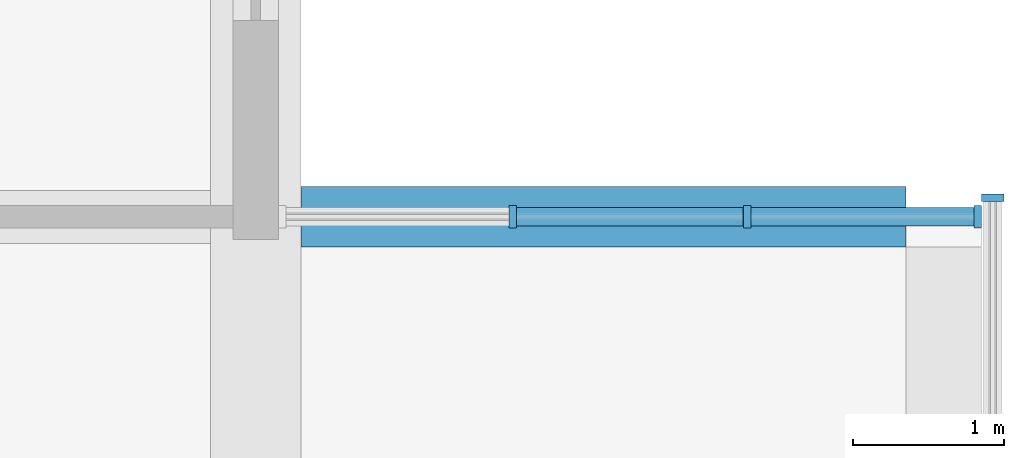
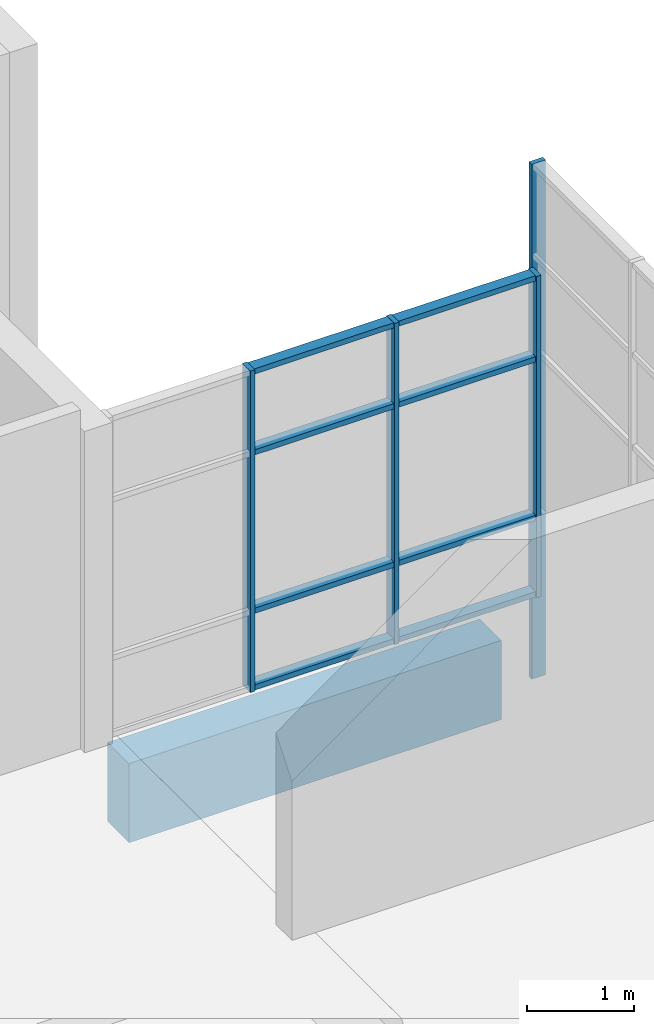
# One storey, part 18 of 35: 12 members, 1 beam, 2 elements without a shape of their own.
"""IFC4 building model written with IfcOpenShell, lengths in metres."""

from ifc_helpers import new_model, si_unit, direction, frame, origin, origin_2d, place, context, subcontext, project, spatial, rectangle, extrude, material, layer, layer_set, material_profile, profile_set, type_object, element, aggregate, save


model = new_model("IFC4")

# Units and contexts
model_context = context("Model", 3, precision=1e-05, world=origin(), true_north=direction((0.0, 1.0)))
body_context = subcontext(model_context, "Body", "Model", "MODEL_VIEW")
ifc_project = project(units=[si_unit("LENGTHUNIT", "METRE"), si_unit("AREAUNIT", "SQUARE_METRE"), si_unit("VOLUMEUNIT", "CUBIC_METRE"), si_unit("PLANEANGLEUNIT", "RADIAN"), si_unit("MASSUNIT", "GRAM", prefix="KILO")], contexts=[model_context])

# Site, building, storey
site_placement = place(None, origin())
site = spatial("IfcSite", under=ifc_project, at=site_placement, CompositionType="ELEMENT")
building_placement = place(site_placement, origin())
building = spatial("IfcBuilding", under=site, at=building_placement, Name="Basin Gate Institute", CompositionType="ELEMENT")
storey_placement = place(building_placement, frame((0.0, 0.0, 31.800048828125)))
storey = spatial("IfcBuildingStorey", under=building, at=storey_placement, Name="L06", CompositionType="ELEMENT", Elevation=31.800048828125)

# Beam
ifc_material_1 = material(Name="Concrete 50 MPa", Category="concrete")
ifc_material_profile_1 = material_profile(ifc_material_1, rectangle(XDim=0.39990234375, YDim=0.89990234375, at=origin_2d()), Name="Cantilever beam B3 400 x 900")
ifc_profile_set_1 = profile_set([ifc_material_profile_1], Name="Concrete 50 MPa")
beam_type = type_object("IfcBeamType", Name="Cantilever beam B3 R120", PredefinedType="BEAM", material=ifc_profile_set_1)
beam_placement = place(storey_placement, frame((123.10009765625, 85.5, -0.699951171875), z_axis=(-1.0, 0.0, 0.0), x_axis=(0.0, -1.0, 0.0)))
element("IfcBeam", 1, at=beam_placement, inside=storey, type_object=beam_type, material=ifc_profile_set_1, Name="BEAM/L06/E/CANT/15", PredefinedType="BEAM", context=body_context, shape_type="SweptSolid", body=[
    extrude(rectangle(XDim=0.39990234375, YDim=0.89990234375, at=origin_2d()), origin(), (0.0, 0.0, 1.0), 4.0),
])

# Curtain wall, members
ifc_material_2 = material(Name="Aluminium-framed glazing", Category="aluminium")
ifc_layer = layer(ifc_material_2, 0.14990234375)
ifc_layer_set = layer_set([ifc_layer], Name="Capsule front curtain wall CW1")
curtain_wall_type = type_object("IfcCurtainWallType", Name="Capsule front curtain wall CW1", PredefinedType="NOTDEFINED", material=ifc_layer_set)
curtain_wall_1_placement = place(storey_placement, origin())
curtain_wall_1 = element("IfcCurtainWall", 2, at=curtain_wall_1_placement, inside=storey, type_object=curtain_wall_type, material=ifc_layer_set, Name="Capsule front curtain wall E wing capsule end L06 line 15", PredefinedType="NOTDEFINED")
ifc_material_3 = material(Name="Aluminium", Category="aluminium")
ifc_material_profile_2 = material_profile(ifc_material_3, rectangle(XDim=0.14990234375, YDim=0.050048828125, at=origin_2d()), Name="Mullion MU1 150 x 50")
ifc_profile_set_2 = profile_set([ifc_material_profile_2], Name="Aluminium")
member_type_1 = type_object("IfcMemberType", Name="Mullion MU1", PredefinedType="MULLION", material=ifc_profile_set_2)
member_1_placement = place(storey_placement, frame((123.574951171875, 85.5, 0.0), z_axis=(0.0, 0.0, 1.0), x_axis=(0.0, -1.0, 0.0)))
member_1 = element("IfcMember", 3, at=member_1_placement, type_object=member_type_1, material=ifc_profile_set_2, Name="CW1 mullion 1", PredefinedType="MULLION", context=body_context, shape_type="SweptSolid", body=[
    extrude(rectangle(XDim=0.14990234375, YDim=0.050048828125, at=origin_2d()), origin(), (0.0, 0.0, 1.0), 3.64990234375),
])
member_2_placement = place(storey_placement, frame((122.050048828125, 85.5, 0.0), z_axis=(0.0, 0.0, 1.0), x_axis=(0.0, -1.0, 0.0)))
member_2 = element("IfcMember", 4, at=member_2_placement, type_object=member_type_1, material=ifc_profile_set_2, Name="CW1 mullion 2", PredefinedType="MULLION", context=body_context, shape_type="SweptSolid", body=[
    extrude(rectangle(XDim=0.14990234375, YDim=0.050048828125, at=origin_2d()), origin(), (0.0, 0.0, 1.0), 3.64990234375),
])
member_3_placement = place(storey_placement, frame((120.5, 85.5, 0.0), z_axis=(0.0, 0.0, 1.0), x_axis=(0.0, -1.0, 0.0)))
member_3 = element("IfcMember", 5, at=member_3_placement, type_object=member_type_1, material=ifc_profile_set_2, Name="CW1 mullion 3", PredefinedType="MULLION", context=body_context, shape_type="SweptSolid", body=[
    extrude(rectangle(XDim=0.14990234375, YDim=0.050048828125, at=origin_2d()), origin(), (0.0, 0.0, 1.0), 3.64990234375),
])

# Curtain wall, member
curtain_wall_2_placement = place(storey_placement, origin())
curtain_wall_2 = element("IfcCurtainWall", 6, at=curtain_wall_2_placement, inside=storey, type_object=curtain_wall_type, material=ifc_layer_set, Name="Capsule front curtain wall E wing capsule 2 L06 front 2", PredefinedType="NOTDEFINED")
member_4_placement = place(storey_placement, frame((123.675048828125, 85.625, -1.050048828125), z_axis=(0.0, 0.0, 1.0), x_axis=(-1.0, 0.0, 0.0)))
member_4 = element("IfcMember", 7, at=member_4_placement, type_object=member_type_1, material=ifc_profile_set_2, Name="CW1 mullion 5", PredefinedType="MULLION", context=body_context, shape_type="SweptSolid", body=[
    extrude(rectangle(XDim=0.14990234375, YDim=0.050048828125, at=origin_2d()), origin(), (0.0, 0.0, 1.0), 5.85009765625),
])
aggregate(curtain_wall_2, [member_4])

# Member
ifc_material_4 = material(Name="Aluminium", Category="aluminium")
ifc_material_profile_3 = material_profile(ifc_material_4, rectangle(XDim=0.1201171875, YDim=0.06005859375, at=origin_2d()), Name="Transom TR1 120 x 60")
ifc_profile_set_3 = profile_set([ifc_material_profile_3], Name="Aluminium")
member_type_2 = type_object("IfcMemberType", Name="Transom TR1", PredefinedType="USERDEFINED", material=ifc_profile_set_3)
member_5_placement = place(storey_placement, frame((123.550048828125, 85.5, 0.030029296875), z_axis=(-1.0, 0.0, 0.0), x_axis=(0.0, -1.0, 0.0)))
member_5 = element("IfcMember", 8, at=member_5_placement, type_object=member_type_2, material=ifc_profile_set_3, Name="CW1 transom 1.1", ObjectType="TRANSOM", PredefinedType="USERDEFINED", context=body_context, shape_type="SweptSolid", body=[
    extrude(rectangle(XDim=0.1201171875, YDim=0.06005859375, at=origin_2d()), origin(), (0.0, 0.0, 1.0), 1.47509765625),
])

member_6_placement = place(storey_placement, frame((123.550048828125, 85.5, 0.89990234375), z_axis=(-1.0, 0.0, 0.0), x_axis=(0.0, -1.0, 0.0)))
member_6 = element("IfcMember", 9, at=member_6_placement, type_object=member_type_2, material=ifc_profile_set_3, Name="CW1 transom 1.2", ObjectType="TRANSOM", PredefinedType="USERDEFINED", context=body_context, shape_type="SweptSolid", body=[
    extrude(rectangle(XDim=0.1201171875, YDim=0.06005859375, at=origin_2d()), origin(), (0.0, 0.0, 1.0), 1.47509765625),
])

member_7_placement = place(storey_placement, frame((123.550048828125, 85.5, 2.699951171875), z_axis=(-1.0, 0.0, 0.0), x_axis=(0.0, -1.0, 0.0)))
member_7 = element("IfcMember", 10, at=member_7_placement, type_object=member_type_2, material=ifc_profile_set_3, Name="CW1 transom 1.3", ObjectType="TRANSOM", PredefinedType="USERDEFINED", context=body_context, shape_type="SweptSolid", body=[
    extrude(rectangle(XDim=0.1201171875, YDim=0.06005859375, at=origin_2d()), origin(), (0.0, 0.0, 1.0), 1.47509765625),
])

member_8_placement = place(storey_placement, frame((123.550048828125, 85.5, 3.619873046875), z_axis=(-1.0, 0.0, 0.0), x_axis=(0.0, -1.0, 0.0)))
member_8 = element("IfcMember", 11, at=member_8_placement, type_object=member_type_2, material=ifc_profile_set_3, Name="CW1 transom 1.4", ObjectType="TRANSOM", PredefinedType="USERDEFINED", context=body_context, shape_type="SweptSolid", body=[
    extrude(rectangle(XDim=0.1201171875, YDim=0.06005859375, at=origin_2d()), origin(), (0.0, 0.0, 1.0), 1.47509765625),
])

member_9_placement = place(storey_placement, frame((122.02490234375, 85.5, 0.030029296875), z_axis=(-1.0, 0.0, 0.0), x_axis=(0.0, -1.0, 0.0)))
member_9 = element("IfcMember", 12, at=member_9_placement, type_object=member_type_2, material=ifc_profile_set_3, Name="CW1 transom 2.1", ObjectType="TRANSOM", PredefinedType="USERDEFINED", context=body_context, shape_type="SweptSolid", body=[
    extrude(rectangle(XDim=0.1201171875, YDim=0.06005859375, at=origin_2d()), origin(), (0.0, 0.0, 1.0), 1.5),
])

member_10_placement = place(storey_placement, frame((122.02490234375, 85.5, 0.89990234375), z_axis=(-1.0, 0.0, 0.0), x_axis=(0.0, -1.0, 0.0)))
member_10 = element("IfcMember", 13, at=member_10_placement, type_object=member_type_2, material=ifc_profile_set_3, Name="CW1 transom 2.2", ObjectType="TRANSOM", PredefinedType="USERDEFINED", context=body_context, shape_type="SweptSolid", body=[
    extrude(rectangle(XDim=0.1201171875, YDim=0.06005859375, at=origin_2d()), origin(), (0.0, 0.0, 1.0), 1.5),
])

member_11_placement = place(storey_placement, frame((122.02490234375, 85.5, 2.699951171875), z_axis=(-1.0, 0.0, 0.0), x_axis=(0.0, -1.0, 0.0)))
member_11 = element("IfcMember", 14, at=member_11_placement, type_object=member_type_2, material=ifc_profile_set_3, Name="CW1 transom 2.3", ObjectType="TRANSOM", PredefinedType="USERDEFINED", context=body_context, shape_type="SweptSolid", body=[
    extrude(rectangle(XDim=0.1201171875, YDim=0.06005859375, at=origin_2d()), origin(), (0.0, 0.0, 1.0), 1.5),
])

member_12_placement = place(storey_placement, frame((122.02490234375, 85.5, 3.619873046875), z_axis=(-1.0, 0.0, 0.0), x_axis=(0.0, -1.0, 0.0)))
member_12 = element("IfcMember", 15, at=member_12_placement, type_object=member_type_2, material=ifc_profile_set_3, Name="CW1 transom 2.4", ObjectType="TRANSOM", PredefinedType="USERDEFINED", context=body_context, shape_type="SweptSolid", body=[
    extrude(rectangle(XDim=0.1201171875, YDim=0.06005859375, at=origin_2d()), origin(), (0.0, 0.0, 1.0), 1.5),
])

aggregate(curtain_wall_1, [member_1, member_2, member_3, member_5, member_6, member_7, member_8, member_9, member_10, member_11, member_12])

save(model, "model.ifc")
